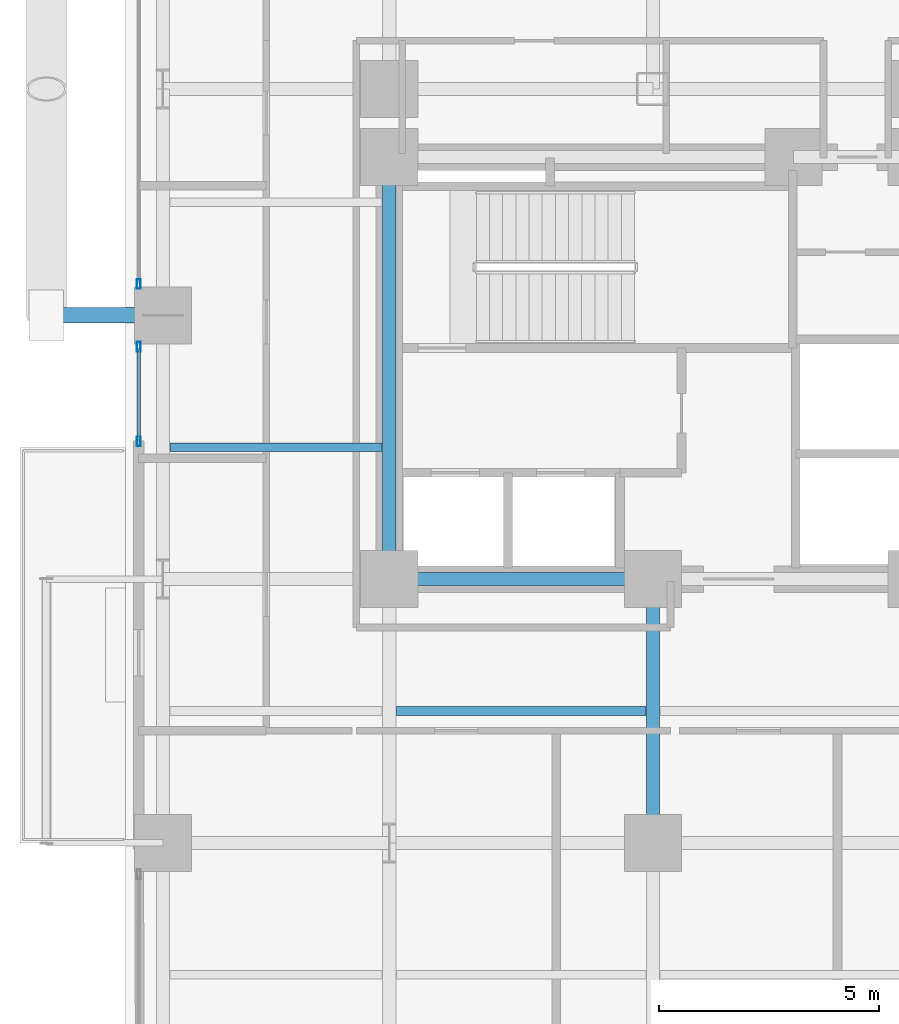
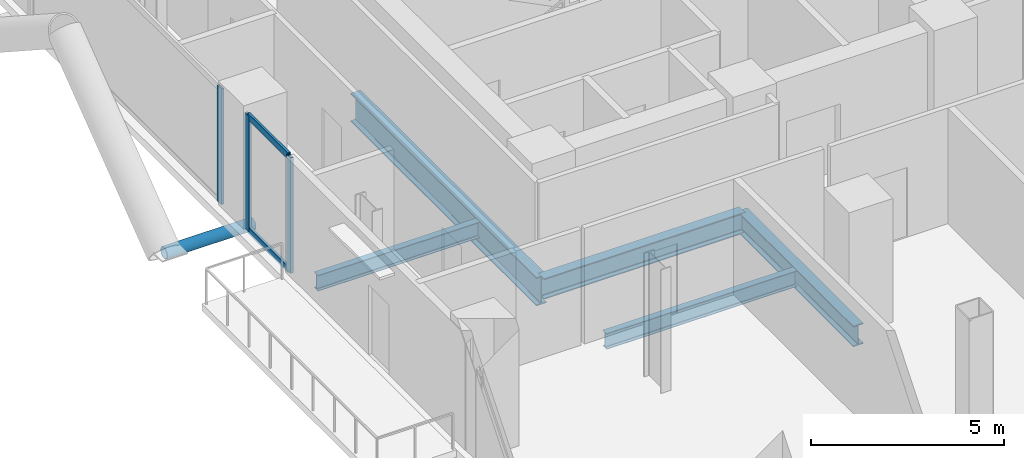
# One storey, part 5 of 25: 6 members, 5 beams, 2 elements without a shape of their own.
"""IFC4 building model written with IfcOpenShell, lengths in metres."""

from ifc_helpers import new_model, si_unit, direction, frame, origin, origin_2d, place, context, subcontext, project, spatial, hollow_rectangle, hollow_circle, i_section, extrude, material, layer, layer_set, material_profile, profile_set, type_object, element, aggregate, save


model = new_model("IFC4")

# Units and contexts
model_context = context("Model", 3, precision=1e-05, world=origin(), true_north=direction((0.0, 1.0)))
body_context = subcontext(model_context, "Body", "Model", "MODEL_VIEW")
ifc_project = project(units=[si_unit("LENGTHUNIT", "METRE"), si_unit("AREAUNIT", "SQUARE_METRE"), si_unit("VOLUMEUNIT", "CUBIC_METRE"), si_unit("PLANEANGLEUNIT", "RADIAN"), si_unit("MASSUNIT", "GRAM", prefix="KILO"), si_unit("THERMODYNAMICTEMPERATUREUNIT", "KELVIN"), si_unit("POWERUNIT", "WATT")], contexts=[model_context])

# Site, building, storey
site_placement = place(None, origin())
site = spatial("IfcSite", under=ifc_project, at=site_placement, CompositionType="ELEMENT")
building_placement = place(site_placement, origin())
building = spatial("IfcBuilding", under=site, at=building_placement, Name="Svarakhadi Broadcast Tower", CompositionType="ELEMENT")
storey_placement = place(building_placement, frame((0.0, 0.0, 67.5)))
storey = spatial("IfcBuildingStorey", under=building, at=storey_placement, Name="L15", CompositionType="ELEMENT", Elevation=67.5)

# Beams
ifc_material_1 = material(Name="Steel S355J2 (IS 2062 E350C)", Category="steel")
ifc_material_profile_1 = material_profile(ifc_material_1, i_section(OverallWidth=0.199951171875, OverallDepth=0.5, WebThickness=0.01025390625, FlangeThickness=0.01611328125, FilletRadius=0.02099609375, at=origin_2d()), Name="NPB 500x200x91")
ifc_profile_set_1 = profile_set([ifc_material_profile_1], Name="Steel S355J2 (IS 2062 E350C)")
beam_type_1 = type_object("IfcBeamType", Name="Beam_NPB500", PredefinedType="BEAM", material=ifc_profile_set_1)
beam_1_placement = place(storey_placement, frame((1.010009765625, 21.0, -0.5), z_axis=(1.0, 0.0, 0.0), x_axis=(0.0, 1.0, 0.0)))
element("IfcBeam", 1, at=beam_1_placement, inside=storey, type_object=beam_type_1, Name="L15 Secondary Composite Beam SB003", PredefinedType="BEAM", context=body_context, shape_type="SweptSolid", body=[
    extrude(i_section(OverallWidth=0.199951171875, OverallDepth=0.5, WebThickness=0.01025390625, FlangeThickness=0.01611328125, FilletRadius=0.02099609375, at=origin_2d()), origin(), (0.0, 0.0, 1.0), 4.830078125),
])
beam_2_placement = place(storey_placement, frame((6.159912109375, 15.0, -0.5), z_axis=(1.0, 0.0, 0.0), x_axis=(0.0, 1.0, 0.0)))
element("IfcBeam", 2, at=beam_2_placement, inside=storey, type_object=beam_type_1, Name="L15 Secondary Composite Beam SB009", PredefinedType="BEAM", context=body_context, shape_type="SweptSolid", body=[
    extrude(i_section(OverallWidth=0.199951171875, OverallDepth=0.5, WebThickness=0.01025390625, FlangeThickness=0.01611328125, FilletRadius=0.02099609375, at=origin_2d()), origin(), (0.0, 0.0, 1.0), 5.68017578125),
])

# Curtain wall, members
ifc_material_2 = material(Name="Anodised Bronze Aluminium AA 6063-T6", Category="aluminium")
ifc_layer = layer(ifc_material_2, 0.219970703125)
ifc_layer_set = layer_set([ifc_layer], Name="Anodised Bronze Aluminium AA 6063-T6")
curtain_wall_type = type_object("IfcCurtainWallType", Name="CW_Sys_02", PredefinedType="NOTDEFINED", material=ifc_layer_set)
curtain_wall_1_placement = place(storey_placement, origin())
curtain_wall_1 = element("IfcCurtainWall", 3, at=curtain_wall_1_placement, inside=storey, type_object=curtain_wall_type, Name="L15 West Curtain Wall 03 Bay 1", PredefinedType="NOTDEFINED")
ifc_material_profile_2 = material_profile(ifc_material_2, hollow_rectangle(XDim=0.0849609375, YDim=0.219970703125, WallThickness=0.006103515625, at=origin_2d()), Name="ALU MULLION 220x85x6")
ifc_profile_set_2 = profile_set([ifc_material_profile_2], Name="Anodised Bronze Aluminium AA 6063-T6")
member_type_1 = type_object("IfcMemberType", Name="CW_Sys_02_Mul", PredefinedType="MULLION", material=ifc_profile_set_2)
member_1_placement = place(storey_placement, frame((0.300048828125, 21.132568359375, 0.0), z_axis=(0.0, 0.0, 1.0), x_axis=(-1.0, 0.0, 0.0)))
member_1 = element("IfcMember", 4, at=member_1_placement, type_object=member_type_1, Name="CW-02 mullion 1", PredefinedType="MULLION", context=body_context, shape_type="SweptSolid", body=[
    extrude(hollow_rectangle(XDim=0.0849609375, YDim=0.219970703125, WallThickness=0.006103515625, at=origin_2d()), origin(), (0.0, 0.0, 1.0), 3.64990234375),
])
member_2_placement = place(storey_placement, frame((0.300048828125, 23.28759765625, 0.0), z_axis=(0.0, 0.0, 1.0), x_axis=(-1.0, 0.0, 0.0)))
member_2 = element("IfcMember", 5, at=member_2_placement, type_object=member_type_1, Name="CW-02 mullion 2", PredefinedType="MULLION", context=body_context, shape_type="SweptSolid", body=[
    extrude(hollow_rectangle(XDim=0.0849609375, YDim=0.219970703125, WallThickness=0.006103515625, at=origin_2d()), origin(), (0.0, 0.0, 1.0), 3.64990234375),
])

# Curtain wall, member
curtain_wall_2_placement = place(storey_placement, origin())
curtain_wall_2 = element("IfcCurtainWall", 6, at=curtain_wall_2_placement, inside=storey, type_object=curtain_wall_type, Name="L15 West Curtain Wall 03 Bay 2", PredefinedType="NOTDEFINED")
member_3_placement = place(storey_placement, frame((0.300048828125, 24.71240234375, 0.0), z_axis=(0.0, 0.0, 1.0), x_axis=(-1.0, 0.0, 0.0)))
member_3 = element("IfcMember", 7, at=member_3_placement, type_object=member_type_1, Name="CW-02 mullion 1", PredefinedType="MULLION", context=body_context, shape_type="SweptSolid", body=[
    extrude(hollow_rectangle(XDim=0.0849609375, YDim=0.219970703125, WallThickness=0.006103515625, at=origin_2d()), origin(), (0.0, 0.0, 1.0), 3.64990234375),
])
aggregate(curtain_wall_2, [member_3])

# Member
ifc_material_profile_3 = material_profile(ifc_material_2, hollow_rectangle(XDim=0.074951171875, YDim=0.199951171875, WallThickness=0.0048828125, at=origin_2d()), Name="ALU TRANSOM 200x75x5")
ifc_profile_set_3 = profile_set([ifc_material_profile_3], Name="Anodised Bronze Aluminium AA 6063-T6")
member_type_2 = type_object("IfcMemberType", Name="CW_Sys_02_Trn", PredefinedType="USERDEFINED", material=ifc_profile_set_3)
member_4_placement = place(storey_placement, frame((0.300048828125, 21.175048828125, 0.03759765625), z_axis=(0.0, 1.0, 0.0), x_axis=(-1.0, 0.0, 0.0)))
member_4 = element("IfcMember", 8, at=member_4_placement, type_object=member_type_2, Name="CW-02 transom 1.1", ObjectType="TRANSOM", PredefinedType="USERDEFINED", context=body_context, shape_type="SweptSolid", body=[
    extrude(hollow_rectangle(XDim=0.074951171875, YDim=0.199951171875, WallThickness=0.0048828125, at=origin_2d()), origin(), (0.0, 0.0, 1.0), 2.070068359375),
])

member_5_placement = place(storey_placement, frame((0.300048828125, 21.175048828125, 3.612548828125), z_axis=(0.0, 1.0, 0.0), x_axis=(-1.0, 0.0, 0.0)))
member_5 = element("IfcMember", 9, at=member_5_placement, type_object=member_type_2, Name="CW-02 transom 1.2", ObjectType="TRANSOM", PredefinedType="USERDEFINED", context=body_context, shape_type="SweptSolid", body=[
    extrude(hollow_rectangle(XDim=0.074951171875, YDim=0.199951171875, WallThickness=0.0048828125, at=origin_2d()), origin(), (0.0, 0.0, 1.0), 2.070068359375),
])

aggregate(curtain_wall_1, [member_1, member_2, member_4, member_5])

ifc_material_3 = material(Name="Steel S460ML (IS 2062 E450BR)", Category="steel")
ifc_material_profile_4 = material_profile(ifc_material_3, hollow_circle(Radius=0.177734375, WallThickness=0.02001953125, at=origin_2d()), Name="CHS 355.6x20")
ifc_profile_set_4 = profile_set([ifc_material_profile_4], Name="Steel S460ML (IS 2062 E450BR)")
member_type_3 = type_object("IfcMemberType", Name="Exo_Radial_Strut_Z1", PredefinedType="STRUT", material=ifc_profile_set_4)
member_6_placement = place(storey_placement, frame((-1.800048828125, 24.0, -0.427734375), z_axis=(1.0, 0.0, 0.0), x_axis=(0.0, 1.0, 0.0)))
element("IfcMember", 10, at=member_6_placement, inside=storey, type_object=member_type_3, Name="L15 Exoskeleton Radial Tie Strut W04", PredefinedType="STRUT", context=body_context, shape_type="SweptSolid", body=[
    extrude(hollow_circle(Radius=0.177734375, WallThickness=0.02001953125, at=origin_2d()), origin(), (0.0, 0.0, 1.0), 2.650146484375),
])

# Beams
ifc_material_profile_5 = material_profile(ifc_material_1, i_section(OverallWidth=0.300048828125, OverallDepth=0.64990234375, WebThickness=0.01611328125, FlangeThickness=0.031005859375, FilletRadius=0.027099609375, at=origin_2d()), Name="WPB 650x300x225")
ifc_profile_set_5 = profile_set([ifc_material_profile_5], Name="Steel S355J2 (IS 2062 E350C)")
beam_type_2 = type_object("IfcBeamType", Name="Girder_WPB650", PredefinedType="USERDEFINED", material=ifc_profile_set_5)
for number, where, z_axis, x_axis, name in (
    (11, (6.0, 18.0, -0.574951171875), (1.0, 0.0, 0.0), (0.0, 1.0, 0.0), "L15 Primary E-W Girder G026"),
    (12, (12.0, 12.0, -0.574951171875), (0.0, 1.0, 0.0), (-1.0, 0.0, 0.0), "L15 Primary N-S Girder G060"),
):
    element("IfcBeam", number, at=place(storey_placement, frame(where, z_axis=z_axis, x_axis=x_axis)), inside=storey, type_object=beam_type_2, Name=name, ObjectType="GIRDER", PredefinedType="USERDEFINED", context=body_context, shape_type="SweptSolid", body=[
        extrude(i_section(OverallWidth=0.300048828125, OverallDepth=0.64990234375, WebThickness=0.01611328125, FlangeThickness=0.031005859375, FilletRadius=0.027099609375, at=origin_2d()), origin(), (0.0, 0.0, 1.0), 6.0),
    ])
ifc_material_profile_6 = material_profile(ifc_material_3, i_section(OverallWidth=0.300048828125, OverallDepth=0.89990234375, WebThickness=0.0185546875, FlangeThickness=0.034912109375, FilletRadius=0.030029296875, at=origin_2d()), Name="WPB 900x300x291")
ifc_profile_set_6 = profile_set([ifc_material_profile_6], Name="Steel S460ML (IS 2062 E450BR)")
beam_type_3 = type_object("IfcBeamType", Name="Girder_WPB900", PredefinedType="USERDEFINED", material=ifc_profile_set_6)
beam_3_placement = place(storey_placement, frame((6.0, 18.0, -0.699951171875), z_axis=(0.0, 1.0, 0.0), x_axis=(-1.0, 0.0, 0.0)))
element("IfcBeam", 13, at=beam_3_placement, inside=storey, type_object=beam_type_3, Name="L15 Primary N-S Girder G054", ObjectType="GIRDER", PredefinedType="USERDEFINED", context=body_context, shape_type="SweptSolid", body=[
    extrude(i_section(OverallWidth=0.300048828125, OverallDepth=0.89990234375, WebThickness=0.0185546875, FlangeThickness=0.034912109375, FilletRadius=0.030029296875, at=origin_2d()), origin(), (0.0, 0.0, 1.0), 9.60009765625),
])

save(model, "model.ifc")
